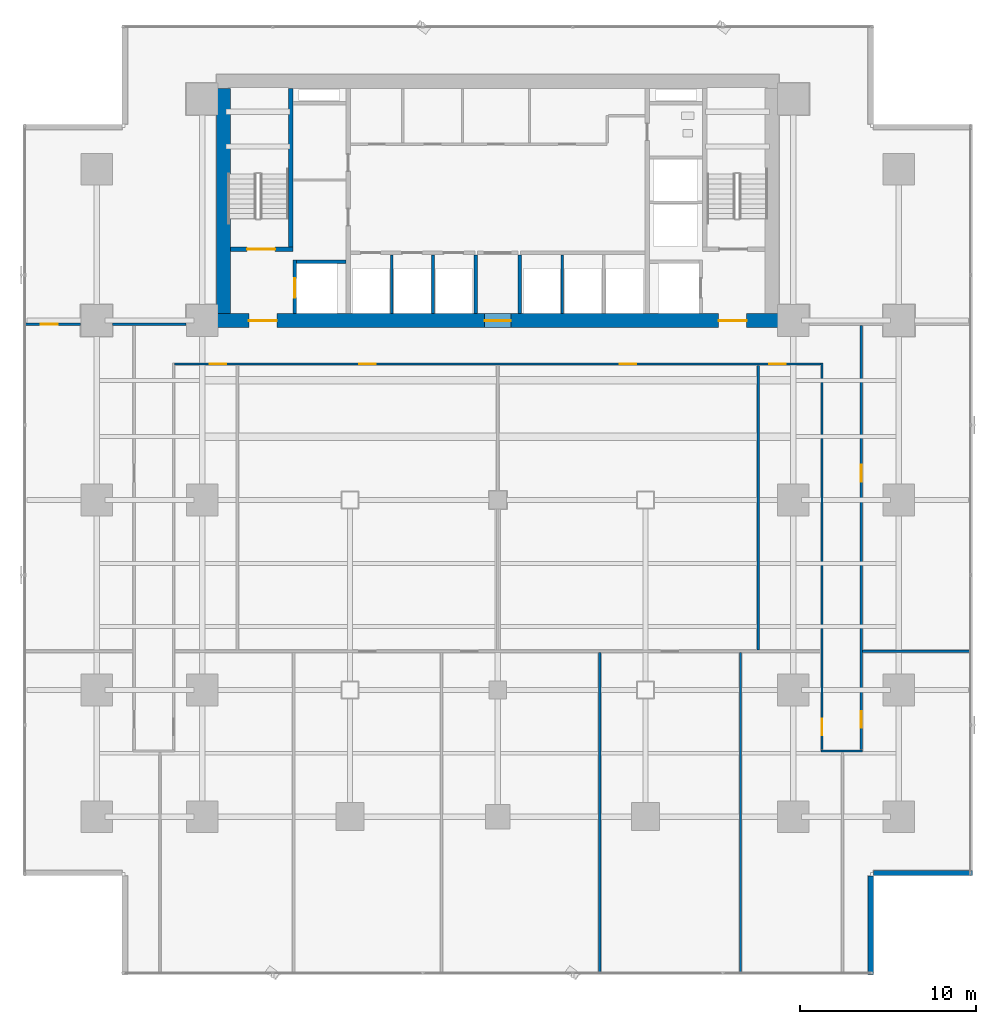
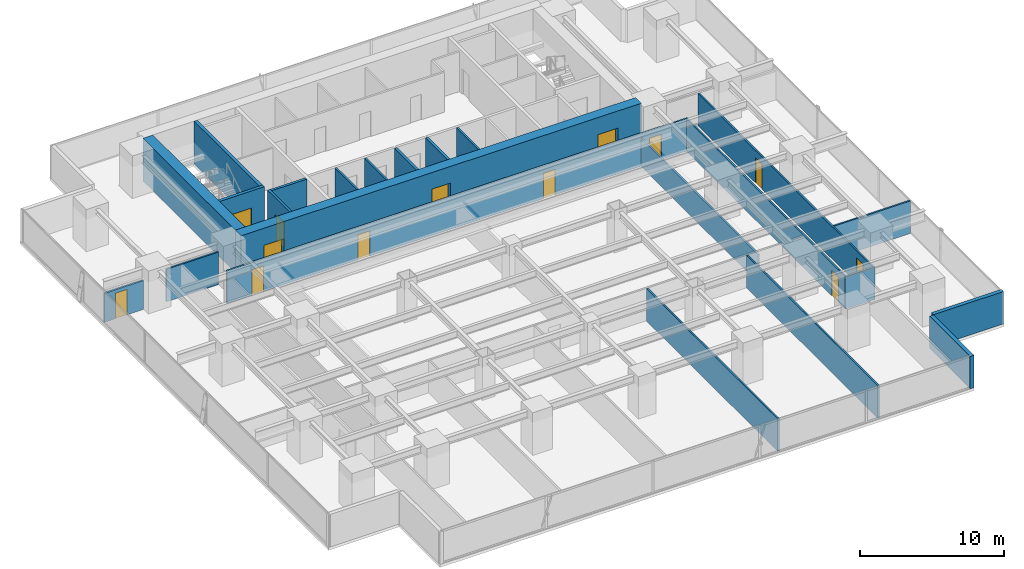
# One storey, part 25 of 33: 23 walls, 13 doors, 13 openings.
"""IFC4 building model written with IfcOpenShell, lengths in metres."""

from ifc_helpers import new_model, si_unit, direction, frame, frame_2d, origin, place, context, subcontext, project, spatial, rectangle, extrude, source, transform, mapped, material, layer, layer_set, type_object, element, fill, save


model = new_model("IFC4")

# Units and contexts
model_context = context("Model", 3, precision=1e-05, world=origin(), true_north=direction((0.0, 1.0)))
body_context = subcontext(model_context, "Body", "Model", "MODEL_VIEW")
ifc_project = project(units=[si_unit("LENGTHUNIT", "METRE"), si_unit("AREAUNIT", "SQUARE_METRE"), si_unit("VOLUMEUNIT", "CUBIC_METRE"), si_unit("PLANEANGLEUNIT", "RADIAN"), si_unit("MASSUNIT", "GRAM", prefix="KILO")], contexts=[model_context])

# Site, building, storey
site_placement = place(None, origin())
site = spatial("IfcSite", under=ifc_project, at=site_placement, CompositionType="ELEMENT")
building_placement = place(site_placement, origin())
building = spatial("IfcBuilding", under=site, at=building_placement, Name="Sumidabori Civic Tower", CompositionType="ELEMENT")
storey_placement = place(building_placement, frame((0.0, 0.0, 38.0)))
storey = spatial("IfcBuildingStorey", under=building, at=storey_placement, Name="L09", CompositionType="ELEMENT", Elevation=38.0)

# Wall, openings, doors
ifc_material_1 = material(Name="Concrete C60/75", Category="concrete")
ifc_layer_1 = layer(ifc_material_1, 0.800048828125, Name="Concrete C60/75")
ifc_layer_set_1 = layer_set([ifc_layer_1], Name="Concrete C60/75")
wall_type_1 = type_object("IfcWallType", Name="WL-CORE-800", PredefinedType="SHEAR", material=ifc_layer_set_1)
shared_shape_1 = source(origin(), body_context, "Body", "SweptSolid", [
    extrude(rectangle(XDim=32.0, YDim=0.800048828125, at=frame_2d((16.0, 0.0))), origin(), (0.0, 0.0, 1.0), 3.60009765625),
])
wall_1_placement = place(storey_placement, frame((-16.0, 10.199951171875, 0.0), z_axis=(0.0, 0.0, 1.0), x_axis=(1.0, 0.0, 0.0)))
wall_1 = element("IfcWall", 1, at=wall_1_placement, inside=storey, type_object=wall_type_1, Name="Core Shear Wall L09 S", PredefinedType="SHEAR", context=body_context, shape_type="MappedRepresentation", body=[
    mapped(shared_shape_1, transform((0.0, 0.0, 0.0), x_axis=(1.0, 0.0, 0.0), y_axis=(0.0, 1.0, 0.0), z_axis=(0.0, 0.0, 1.0), scale=1.0)),
])
opening_1_placement = place(wall_1_placement, frame((1.85009765625, 0.0, 0.0)))
opening_1 = element("IfcOpeningElement", 2, at=opening_1_placement, cuts=wall_1, Name="Opening DR-FD4", PredefinedType="OPENING", context=body_context, shape_type="SweptSolid", body=[
    extrude(rectangle(XDim=1.60009765625, YDim=2.14990234375, at=frame_2d((0.800048828125, 1.074951171875))), frame((0.0, 0.412109375, 0.0), z_axis=(0.0, -1.0, 0.0), x_axis=(1.0, 0.0, 0.0)), (0.0, 0.0, 1.0), 0.823974609375),
])
opening_2_placement = place(wall_1_placement, frame((28.550048828125, 0.0, 0.0)))
opening_2 = element("IfcOpeningElement", 3, at=opening_2_placement, cuts=wall_1, Name="Opening DR-FD4", PredefinedType="OPENING", context=body_context, shape_type="SweptSolid", body=[
    extrude(rectangle(XDim=1.60009765625, YDim=2.14990234375, at=frame_2d((0.800048828125, 1.074951171875))), frame((0.0, 0.412109375, 0.0), z_axis=(0.0, -1.0, 0.0), x_axis=(1.0, 0.0, 0.0)), (0.0, 0.0, 1.0), 0.823974609375),
])
opening_3_placement = place(wall_1_placement, frame((15.25, 0.0, 0.0)))
opening_3 = element("IfcOpeningElement", 4, at=opening_3_placement, cuts=wall_1, Name="Opening DR-FD3", PredefinedType="OPENING", context=body_context, shape_type="SweptSolid", body=[
    extrude(rectangle(XDim=1.5, YDim=2.199951171875, at=frame_2d((0.75, 1.10009765625))), frame((0.0, 0.412109375, 0.0), z_axis=(0.0, -1.0, 0.0), x_axis=(1.0, 0.0, 0.0)), (0.0, 0.0, 1.0), 0.823974609375),
])
ifc_material_2 = material(Name="Steel SN490", Category="steel")
door_type_1 = type_object("IfcDoorType", Name="DR-FD4", OperationType="DOUBLE_DOOR_SINGLE_SWING", PredefinedType="DOOR", material=ifc_material_2)
shared_shape_2 = source(origin(), body_context, "Body", "SweptSolid", [
    extrude(rectangle(XDim=1.60009765625, YDim=2.14990234375, at=frame_2d((0.800048828125, 1.074951171875))), frame((0.0, 0.02490234375, 0.0), z_axis=(0.0, -1.0, 0.0), x_axis=(1.0, 0.0, 0.0)), (0.0, 0.0, 1.0), 0.050048828125),
])
door_1_placement = place(opening_1_placement, origin())
door_1 = element("IfcDoor", 5, at=door_1_placement, inside=storey, type_object=door_type_1, Name="Door DR:L09:ELOB-W", OperationType="DOUBLE_DOOR_SINGLE_SWING", OverallHeight=2.14990234375, OverallWidth=1.60009765625, PredefinedType="DOOR", context=body_context, shape_type="MappedRepresentation", body=[
    mapped(shared_shape_2, transform((0.0, 0.0, 0.0), x_axis=(1.0, 0.0, 0.0), y_axis=(0.0, 1.0, 0.0), z_axis=(0.0, 0.0, 1.0), scale=1.0)),
])
fill(opening_1, door_1)
door_2_placement = place(opening_2_placement, origin())
door_2 = element("IfcDoor", 6, at=door_2_placement, inside=storey, type_object=door_type_1, Name="Door DR:L09:ELOB-E", OperationType="DOUBLE_DOOR_SINGLE_SWING", OverallHeight=2.14990234375, OverallWidth=1.60009765625, PredefinedType="DOOR", context=body_context, shape_type="MappedRepresentation", body=[
    mapped(shared_shape_2, transform((0.0, 0.0, 0.0), x_axis=(1.0, 0.0, 0.0), y_axis=(0.0, 1.0, 0.0), z_axis=(0.0, 0.0, 1.0), scale=1.0)),
])
fill(opening_2, door_2)
door_type_2 = type_object("IfcDoorType", Name="DR-FD-DBL", OperationType="DOUBLE_DOOR_SINGLE_SWING", PredefinedType="DOOR", material=ifc_material_2)
shared_shape_3 = source(origin(), body_context, "Body", "SweptSolid", [
    extrude(rectangle(XDim=1.5, YDim=2.199951171875, at=frame_2d((0.75, 1.10009765625))), frame((0.0, 0.02490234375, 0.0), z_axis=(0.0, -1.0, 0.0), x_axis=(1.0, 0.0, 0.0)), (0.0, 0.0, 1.0), 0.050048828125),
])
door_3_placement = place(opening_3_placement, origin())
door_3 = element("IfcDoor", 7, at=door_3_placement, inside=storey, type_object=door_type_2, Name="Door DR:L09:THROAT-OUT", OperationType="DOUBLE_DOOR_SINGLE_SWING", OverallHeight=2.199951171875, OverallWidth=1.5, PredefinedType="DOOR", context=body_context, shape_type="MappedRepresentation", body=[
    mapped(shared_shape_3, transform((0.0, 0.0, 0.0), x_axis=(1.0, 0.0, 0.0), y_axis=(0.0, 1.0, 0.0), z_axis=(0.0, 0.0, 1.0), scale=1.0)),
])
fill(opening_3, door_3)

# Wall
shared_shape_4 = source(origin(), body_context, "Body", "SweptSolid", [
    extrude(rectangle(XDim=12.7998046875, YDim=0.800048828125, at=frame_2d((6.39990234375, 0.0))), origin(), (0.0, 0.0, 1.0), 3.60009765625),
])
wall_2_placement = place(storey_placement, frame((-15.60009765625, 10.60009765625, 0.0), z_axis=(0.0, 0.0, 1.0), x_axis=(0.0, 1.0, 0.0)))
element("IfcWall", 8, at=wall_2_placement, inside=storey, type_object=wall_type_1, Name="Core Shear Wall L09 W", PredefinedType="SHEAR", context=body_context, shape_type="MappedRepresentation", body=[
    mapped(shared_shape_4, transform((0.0, 0.0, 0.0), x_axis=(1.0, 0.0, 0.0), y_axis=(0.0, 1.0, 0.0), z_axis=(0.0, 0.0, 1.0), scale=1.0)),
])

# Wall, opening, door
ifc_material_3 = material(Name="Concrete C50/60", Category="concrete")
ifc_layer_2 = layer(ifc_material_3, 0.25, Name="Concrete C50/60")
ifc_layer_set_2 = layer_set([ifc_layer_2], Name="Concrete C50/60")
wall_type_2 = type_object("IfcWallType", Name="WL-SHAFT-250", PredefinedType="SHEAR", material=ifc_layer_set_2)
shared_shape_5 = source(origin(), body_context, "Body", "SweptSolid", [
    extrude(rectangle(XDim=3.554931640625, YDim=0.25, at=frame_2d((1.77734375, 0.0))), origin(), (0.0, 0.0, 1.0), 3.60009765625),
])
wall_3_placement = place(storey_placement, frame((-15.199951171875, 14.25, 0.0), z_axis=(0.0, 0.0, 1.0), x_axis=(1.0, 0.0, 0.0)))
wall_3 = element("IfcWall", 9, at=wall_3_placement, inside=storey, type_object=wall_type_2, Name="Core Shear Wall L09 ST1-S", PredefinedType="SHEAR", context=body_context, shape_type="MappedRepresentation", body=[
    mapped(shared_shape_5, transform((0.0, 0.0, 0.0), x_axis=(1.0, 0.0, 0.0), y_axis=(0.0, 1.0, 0.0), z_axis=(0.0, 0.0, 1.0), scale=1.0)),
])
opening_4_placement = place(wall_3_placement, frame((0.949951171875, 0.0, 0.0)))
opening_4 = element("IfcOpeningElement", 10, at=opening_4_placement, cuts=wall_3, Name="Opening DR-FD4", PredefinedType="OPENING", context=body_context, shape_type="SweptSolid", body=[
    extrude(rectangle(XDim=1.60009765625, YDim=2.14990234375, at=frame_2d((0.800048828125, 1.074951171875))), frame((0.0, 0.136962890625, 0.0), z_axis=(0.0, -1.0, 0.0), x_axis=(1.0, 0.0, 0.0)), (0.0, 0.0, 1.0), 0.27392578125),
])
door_4_placement = place(opening_4_placement, origin())
door_4 = element("IfcDoor", 11, at=door_4_placement, inside=storey, type_object=door_type_1, Name="Door DR:L09:ST1", OperationType="DOUBLE_DOOR_SINGLE_SWING", OverallHeight=2.14990234375, OverallWidth=1.60009765625, PredefinedType="DOOR", context=body_context, shape_type="MappedRepresentation", body=[
    mapped(shared_shape_2, transform((0.0, 0.0, 0.0), x_axis=(1.0, 0.0, 0.0), y_axis=(0.0, 1.0, 0.0), z_axis=(0.0, 0.0, 1.0), scale=1.0)),
])
fill(opening_4, door_4)

# Wall
shared_shape_6 = source(origin(), body_context, "Body", "SweptSolid", [
    extrude(rectangle(XDim=9.02490234375, YDim=0.25, at=frame_2d((4.512451171875, 0.0))), origin(), (0.0, 0.0, 1.0), 3.60009765625),
])
wall_4_placement = place(storey_placement, frame((-11.77001953125, 14.375, 0.0), z_axis=(0.0, 0.0, 1.0), x_axis=(0.0, 1.0, 0.0)))
element("IfcWall", 12, at=wall_4_placement, inside=storey, type_object=wall_type_2, Name="Core Shear Wall L09 ST1-E", PredefinedType="SHEAR", context=body_context, shape_type="MappedRepresentation", body=[
    mapped(shared_shape_6, transform((0.0, 0.0, 0.0), x_axis=(1.0, 0.0, 0.0), y_axis=(0.0, 1.0, 0.0), z_axis=(0.0, 0.0, 1.0), scale=1.0)),
])

# Wall, opening, door
ifc_layer_3 = layer(ifc_material_3, 0.199951171875, Name="Concrete C50/60")
ifc_layer_set_3 = layer_set([ifc_layer_3], Name="Concrete C50/60")
wall_type_3 = type_object("IfcWallType", Name="WL-SHAFT-200", PredefinedType="SHEAR", material=ifc_layer_set_3)
shared_shape_7 = source(origin(), body_context, "Body", "SweptSolid", [
    extrude(rectangle(XDim=3.0498046875, YDim=0.199951171875, at=frame_2d((1.52490234375, 0.0))), origin(), (0.0, 0.0, 1.0), 3.60009765625),
])
wall_5_placement = place(storey_placement, frame((-11.550048828125, 10.60009765625, 0.0), z_axis=(0.0, 0.0, 1.0), x_axis=(0.0, 1.0, 0.0)))
wall_5 = element("IfcWall", 13, at=wall_5_placement, inside=storey, type_object=wall_type_3, Name="Core Shear Wall L09 EL1-W", PredefinedType="SHEAR", context=body_context, shape_type="MappedRepresentation", body=[
    mapped(shared_shape_7, transform((0.0, 0.0, 0.0), x_axis=(1.0, 0.0, 0.0), y_axis=(0.0, 1.0, 0.0), z_axis=(0.0, 0.0, 1.0), scale=1.0)),
])
opening_5_placement = place(wall_5_placement, frame((0.89990234375, 0.0, 0.0)))
opening_5 = element("IfcOpeningElement", 14, at=opening_5_placement, cuts=wall_5, Name="Opening LD-2", PredefinedType="OPENING", context=body_context, shape_type="SweptSolid", body=[
    extrude(rectangle(XDim=1.10009765625, YDim=2.14990234375, at=frame_2d((0.550048828125, 1.074951171875))), frame((0.0, 0.11181640625, 0.0), z_axis=(0.0, -1.0, 0.0), x_axis=(1.0, 0.0, 0.0)), (0.0, 0.0, 1.0), 0.223876953125),
])
ifc_material_4 = material(Name="Stainless Steel Hairline Finish", Category="steel")
door_type_3 = type_object("IfcDoorType", Name="DR-LD2", OperationType="DOUBLE_DOOR_SLIDING", PredefinedType="DOOR", material=ifc_material_4)
shared_shape_8 = source(origin(), body_context, "Body", "SweptSolid", [
    extrude(rectangle(XDim=1.10009765625, YDim=2.14990234375, at=frame_2d((0.550048828125, 1.074951171875))), frame((0.0, 0.02490234375, 0.0), z_axis=(0.0, -1.0, 0.0), x_axis=(1.0, 0.0, 0.0)), (0.0, 0.0, 1.0), 0.050048828125),
])
door_5_placement = place(opening_5_placement, origin())
door_5 = element("IfcDoor", 15, at=door_5_placement, inside=storey, type_object=door_type_3, Name="Door DR:L09:LD-EL1", OperationType="DOUBLE_DOOR_SLIDING", OverallHeight=2.14990234375, OverallWidth=1.10009765625, PredefinedType="DOOR", context=body_context, shape_type="MappedRepresentation", body=[
    mapped(shared_shape_8, transform((0.0, 0.0, 0.0), x_axis=(1.0, 0.0, 0.0), y_axis=(0.0, 1.0, 0.0), z_axis=(0.0, 0.0, 1.0), scale=1.0)),
])
fill(opening_5, door_5)

# Walls
shared_shape_9 = source(origin(), body_context, "Body", "SweptSolid", [
    extrude(rectangle(XDim=2.824951171875, YDim=0.199951171875, at=frame_2d((1.41259765625, 0.0))), origin(), (0.0, 0.0, 1.0), 3.60009765625),
])
wall_6_placement = place(storey_placement, frame((-11.449951171875, 13.550048828125, 0.0), z_axis=(0.0, 0.0, 1.0), x_axis=(1.0, 0.0, 0.0)))
element("IfcWall", 16, at=wall_6_placement, inside=storey, type_object=wall_type_3, Name="Core Shear Wall L09 EL1-N", PredefinedType="SHEAR", context=body_context, shape_type="MappedRepresentation", body=[
    mapped(shared_shape_9, transform((0.0, 0.0, 0.0), x_axis=(1.0, 0.0, 0.0), y_axis=(0.0, 1.0, 0.0), z_axis=(0.0, 0.0, 1.0), scale=1.0)),
])
ifc_material_5 = material(Name="Precast concrete C40/50", Category="concrete")
ifc_layer_4 = layer(ifc_material_5, 0.300048828125, Name="Precast concrete C40/50")
ifc_layer_set_4 = layer_set([ifc_layer_4], Name="Precast concrete C40/50")
wall_type_4 = type_object("IfcWallType", Name="WL-EXT-POD300", PredefinedType="STANDARD", material=ifc_layer_set_4)
shared_shape_10 = source(origin(), body_context, "Body", "SweptSolid", [
    extrude(rectangle(XDim=5.60986328125, YDim=0.300048828125, at=frame_2d((2.804931640625, 0.0))), origin(), (0.0, 0.0, 1.0), 2.739990234375),
])
for number, where, z_axis, x_axis, name in (
    (17, (21.199951171875, -26.97998046875, 0.0), (0.0, 0.0, 1.0), (0.0, 1.0, 0.0), "Notched Corner Spandrel Band L09-02"),
    (18, (21.3701171875, -21.199951171875, 0.0), (0.0, 0.0, 1.0), (1.0, 0.0, 0.0), "Notched Corner Spandrel Band L09-03"),
):
    element("IfcWall", number, at=place(storey_placement, frame(where, z_axis=z_axis, x_axis=x_axis)), inside=storey, type_object=wall_type_4, Name=name, PredefinedType="STANDARD", context=body_context, shape_type="MappedRepresentation", body=[
        mapped(shared_shape_10, transform((0.0, 0.0, 0.0), x_axis=(1.0, 0.0, 0.0), y_axis=(0.0, 1.0, 0.0), z_axis=(0.0, 0.0, 1.0), scale=1.0)),
    ])
ifc_material_6 = material(Name="Gypsum Plasterboard Fire Partition")
ifc_layer_5 = layer(ifc_material_6, 0.199951171875, Name="Gypsum Plasterboard Fire Partition")
ifc_layer_set_5 = layer_set([ifc_layer_5], Name="Gypsum Plasterboard Fire Partition")
wall_type_5 = type_object("IfcWallType", Name="WL-PART-FIRE", PredefinedType="PARTITIONING", material=ifc_layer_set_5)
shared_shape_11 = source(origin(), body_context, "Body", "SweptSolid", [
    extrude(rectangle(XDim=3.33984375, YDim=0.199951171875, at=frame_2d((1.669921875, 0.0))), origin(), (0.0, 0.0, 1.0), 3.360107421875),
])
for number, where, z_axis, x_axis, name in (
    (19, (-1.25, 10.60009765625, 0.0), (0.0, 0.0, 1.0), (0.0, 1.0, 0.0), "Interior Partition WL:L09:THROAT-W"),
    (20, (1.25, 10.60009765625, 0.0), (0.0, 0.0, 1.0), (0.0, 1.0, 0.0), "Interior Partition WL:L09:THROAT-E"),
):
    element("IfcWall", number, at=place(storey_placement, frame(where, z_axis=z_axis, x_axis=x_axis)), inside=storey, type_object=wall_type_5, Name=name, PredefinedType="PARTITIONING", context=body_context, shape_type="MappedRepresentation", body=[
        mapped(shared_shape_11, transform((0.0, 0.0, 0.0), x_axis=(1.0, 0.0, 0.0), y_axis=(0.0, 1.0, 0.0), z_axis=(0.0, 0.0, 1.0), scale=1.0)),
    ])
ifc_material_7 = material(Name="Gypsum Plasterboard Acoustic Partition")
ifc_layer_6 = layer(ifc_material_7, 0.14990234375, Name="Gypsum Plasterboard Acoustic Partition")
ifc_layer_set_6 = layer_set([ifc_layer_6], Name="Gypsum Plasterboard Acoustic Partition")
wall_type_6 = type_object("IfcWallType", Name="WL-PART-150", PredefinedType="PARTITIONING", material=ifc_layer_set_6)
shared_shape_12 = source(origin(), body_context, "Body", "SweptSolid", [
    extrude(rectangle(XDim=3.33984375, YDim=0.14990234375, at=frame_2d((1.669921875, 0.0))), origin(), (0.0, 0.0, 1.0), 3.360107421875),
])
for number, where, z_axis, x_axis, name in (
    (21, (-6.030029296875, 10.60009765625, 0.0), (0.0, 0.0, 1.0), (0.0, 1.0, 0.0), "Interior Partition WL:L09:DIV-PLL1"),
    (22, (-3.679931640625, 10.60009765625, 0.0), (0.0, 0.0, 1.0), (0.0, 1.0, 0.0), "Interior Partition WL:L09:DIV-PLL2"),
    (23, (3.669921875, 10.60009765625, 0.0), (0.0, 0.0, 1.0), (0.0, 1.0, 0.0), "Interior Partition WL:L09:DIV-PLM1"),
):
    element("IfcWall", number, at=place(storey_placement, frame(where, z_axis=z_axis, x_axis=x_axis)), inside=storey, type_object=wall_type_6, Name=name, PredefinedType="PARTITIONING", context=body_context, shape_type="MappedRepresentation", body=[
        mapped(shared_shape_12, transform((0.0, 0.0, 0.0), x_axis=(1.0, 0.0, 0.0), y_axis=(0.0, 1.0, 0.0), z_axis=(0.0, 0.0, 1.0), scale=1.0)),
    ])

# Wall, opening, door
ifc_layer_7 = layer(ifc_material_7, 0.135009765625, Name="Gypsum Plasterboard Acoustic Partition")
ifc_layer_set_7 = layer_set([ifc_layer_7], Name="Gypsum Plasterboard Acoustic Partition")
wall_type_7 = type_object("IfcWallType", Name="WL-PART-135", PredefinedType="PARTITIONING", material=ifc_layer_set_7)
shared_shape_13 = source(origin(), body_context, "Body", "SweptSolid", [
    extrude(rectangle(XDim=3.14013671875, YDim=0.135009765625, at=frame_2d((1.570068359375, 0.0))), origin(), (0.0, 0.0, 1.0), 2.43505859375),
])
wall_7_placement = place(storey_placement, frame((-26.85009765625, 10.0, 0.0), z_axis=(0.0, 0.0, 1.0), x_axis=(1.0, 0.0, 0.0)))
wall_7 = element("IfcWall", 24, at=wall_7_placement, inside=storey, type_object=wall_type_7, Name="Interior Partition WL:L09:FLK-NW-1", PredefinedType="PARTITIONING", context=body_context, shape_type="MappedRepresentation", body=[
    mapped(shared_shape_13, transform((0.0, 0.0, 0.0), x_axis=(1.0, 0.0, 0.0), y_axis=(0.0, 1.0, 0.0), z_axis=(0.0, 0.0, 1.0), scale=1.0)),
])
opening_6_placement = place(wall_7_placement, frame((0.875, 0.0, 0.0)))
opening_6 = element("IfcOpeningElement", 25, at=opening_6_placement, cuts=wall_7, Name="Opening DR-2", PredefinedType="OPENING", context=body_context, shape_type="SweptSolid", body=[
    extrude(rectangle(XDim=0.949951171875, YDim=2.14990234375, at=frame_2d((0.47509765625, 1.074951171875))), frame((0.0, 0.07958984375, 0.0), z_axis=(0.0, -1.0, 0.0), x_axis=(1.0, 0.0, 0.0)), (0.0, 0.0, 1.0), 0.158935546875),
])
ifc_material_8 = material(Name="Japanese Hinoki Timber", Category="wood")
door_type_4 = type_object("IfcDoorType", Name="DR-INT-950", OperationType="NOTDEFINED", PredefinedType="DOOR", material=ifc_material_8)
shared_shape_14 = source(origin(), body_context, "Body", "SweptSolid", [
    extrude(rectangle(XDim=0.949951171875, YDim=2.14990234375, at=frame_2d((0.47509765625, 1.074951171875))), frame((0.0, 0.02490234375, 0.0), z_axis=(0.0, -1.0, 0.0), x_axis=(1.0, 0.0, 0.0)), (0.0, 0.0, 1.0), 0.050048828125),
])
door_6_placement = place(opening_6_placement, origin())
door_6 = element("IfcDoor", 26, at=door_6_placement, inside=storey, type_object=door_type_4, Name="Door DR:L09:D11", OperationType="SINGLE_SWING_LEFT", OverallHeight=2.14990234375, OverallWidth=0.949951171875, PredefinedType="DOOR", context=body_context, shape_type="MappedRepresentation", body=[
    mapped(shared_shape_14, transform((0.0, 0.0, 0.0), x_axis=(1.0, 0.0, 0.0), y_axis=(0.0, 1.0, 0.0), z_axis=(0.0, 0.0, 1.0), scale=1.0)),
])
fill(opening_6, door_6)

# Wall
shared_shape_15 = source(origin(), body_context, "Body", "SweptSolid", [
    extrude(rectangle(XDim=4.179931640625, YDim=0.135009765625, at=frame_2d((2.08984375, 0.0))), origin(), (0.0, 0.0, 1.0), 2.7451171875),
])
wall_8_placement = place(storey_placement, frame((-21.889892578125, 10.0, 0.0), z_axis=(0.0, 0.0, 1.0), x_axis=(1.0, 0.0, 0.0)))
element("IfcWall", 27, at=wall_8_placement, inside=storey, type_object=wall_type_7, Name="Interior Partition WL:L09:FLK-NW-2", PredefinedType="PARTITIONING", context=body_context, shape_type="MappedRepresentation", body=[
    mapped(shared_shape_15, transform((0.0, 0.0, 0.0), x_axis=(1.0, 0.0, 0.0), y_axis=(0.0, 1.0, 0.0), z_axis=(0.0, 0.0, 1.0), scale=1.0)),
])

# Wall, openings, doors
shared_shape_16 = source(origin(), body_context, "Body", "SweptSolid", [
    extrude(rectangle(XDim=36.72998046875, YDim=0.135009765625, at=frame_2d((18.364990234375, 0.0))), origin(), (0.0, 0.0, 1.0), 2.7451171875),
])
wall_9_placement = place(storey_placement, frame((-18.364990234375, 7.732421875, 0.0), z_axis=(0.0, 0.0, 1.0), x_axis=(1.0, 0.0, 0.0)))
wall_9 = element("IfcWall", 28, at=wall_9_placement, inside=storey, type_object=wall_type_7, Name="Interior Partition WL:L09:CORR-S", PredefinedType="PARTITIONING", context=body_context, shape_type="MappedRepresentation", body=[
    mapped(shared_shape_16, transform((0.0, 0.0, 0.0), x_axis=(1.0, 0.0, 0.0), y_axis=(0.0, 1.0, 0.0), z_axis=(0.0, 0.0, 1.0), scale=1.0)),
])
opening_7_placement = place(wall_9_placement, frame((10.489990234375, 0.0, 0.0)))
opening_7 = element("IfcOpeningElement", 29, at=opening_7_placement, cuts=wall_9, Name="Opening DR-2", PredefinedType="OPENING", context=body_context, shape_type="SweptSolid", body=[
    extrude(rectangle(XDim=0.949951171875, YDim=2.14990234375, at=frame_2d((0.47509765625, 1.074951171875))), frame((0.0, 0.07958984375, 0.0), z_axis=(0.0, -1.0, 0.0), x_axis=(1.0, 0.0, 0.0)), (0.0, 0.0, 1.0), 0.158935546875),
])
opening_8_placement = place(wall_9_placement, frame((25.2900390625, 0.0, 0.0)))
opening_8 = element("IfcOpeningElement", 30, at=opening_8_placement, cuts=wall_9, Name="Opening DR-2", PredefinedType="OPENING", context=body_context, shape_type="SweptSolid", body=[
    extrude(rectangle(XDim=0.949951171875, YDim=2.14990234375, at=frame_2d((0.47509765625, 1.074951171875))), frame((0.0, 0.07958984375, 0.0), z_axis=(0.0, -1.0, 0.0), x_axis=(1.0, 0.0, 0.0)), (0.0, 0.0, 1.0), 0.158935546875),
])
opening_9_placement = place(wall_9_placement, frame((1.99365234375, 0.0, 0.0)))
opening_9 = element("IfcOpeningElement", 31, at=opening_9_placement, cuts=wall_9, Name="Opening DR-2", PredefinedType="OPENING", context=body_context, shape_type="SweptSolid", body=[
    extrude(rectangle(XDim=0.949951171875, YDim=2.14990234375, at=frame_2d((0.47509765625, 1.074951171875))), frame((0.0, 0.07958984375, 0.0), z_axis=(0.0, -1.0, 0.0), x_axis=(1.0, 0.0, 0.0)), (0.0, 0.0, 1.0), 0.158935546875),
])
opening_10_placement = place(wall_9_placement, frame((33.7861328125, 0.0, 0.0)))
opening_10 = element("IfcOpeningElement", 32, at=opening_10_placement, cuts=wall_9, Name="Opening DR-2", PredefinedType="OPENING", context=body_context, shape_type="SweptSolid", body=[
    extrude(rectangle(XDim=0.949951171875, YDim=2.14990234375, at=frame_2d((0.47509765625, 1.074951171875))), frame((0.0, 0.07958984375, 0.0), z_axis=(0.0, -1.0, 0.0), x_axis=(1.0, 0.0, 0.0)), (0.0, 0.0, 1.0), 0.158935546875),
])
door_7_placement = place(opening_7_placement, origin())
door_7 = element("IfcDoor", 33, at=door_7_placement, inside=storey, type_object=door_type_4, Name="Door DR:L09:D03", OperationType="SINGLE_SWING_LEFT", OverallHeight=2.14990234375, OverallWidth=0.949951171875, PredefinedType="DOOR", context=body_context, shape_type="MappedRepresentation", body=[
    mapped(shared_shape_14, transform((0.0, 0.0, 0.0), x_axis=(1.0, 0.0, 0.0), y_axis=(0.0, 1.0, 0.0), z_axis=(0.0, 0.0, 1.0), scale=1.0)),
])
fill(opening_7, door_7)
door_8_placement = place(opening_8_placement, origin())
door_8 = element("IfcDoor", 34, at=door_8_placement, inside=storey, type_object=door_type_4, Name="Door DR:L09:D04", OperationType="SINGLE_SWING_RIGHT", OverallHeight=2.14990234375, OverallWidth=0.949951171875, PredefinedType="DOOR", context=body_context, shape_type="MappedRepresentation", body=[
    mapped(shared_shape_14, transform((0.0, 0.0, 0.0), x_axis=(1.0, 0.0, 0.0), y_axis=(0.0, 1.0, 0.0), z_axis=(0.0, 0.0, 1.0), scale=1.0)),
])
fill(opening_8, door_8)
door_9_placement = place(opening_9_placement, origin())
door_9 = element("IfcDoor", 35, at=door_9_placement, inside=storey, type_object=door_type_4, Name="Door DR:L09:D05", OperationType="SINGLE_SWING_LEFT", OverallHeight=2.14990234375, OverallWidth=0.949951171875, PredefinedType="DOOR", context=body_context, shape_type="MappedRepresentation", body=[
    mapped(shared_shape_14, transform((0.0, 0.0, 0.0), x_axis=(1.0, 0.0, 0.0), y_axis=(0.0, 1.0, 0.0), z_axis=(0.0, 0.0, 1.0), scale=1.0)),
])
fill(opening_9, door_9)
door_10_placement = place(opening_10_placement, origin())
door_10 = element("IfcDoor", 36, at=door_10_placement, inside=storey, type_object=door_type_4, Name="Door DR:L09:D06", OperationType="SINGLE_SWING_RIGHT", OverallHeight=2.14990234375, OverallWidth=0.949951171875, PredefinedType="DOOR", context=body_context, shape_type="MappedRepresentation", body=[
    mapped(shared_shape_14, transform((0.0, 0.0, 0.0), x_axis=(1.0, 0.0, 0.0), y_axis=(0.0, 1.0, 0.0), z_axis=(0.0, 0.0, 1.0), scale=1.0)),
])
fill(opening_10, door_10)

shared_shape_17 = source(origin(), body_context, "Body", "SweptSolid", [
    extrude(rectangle(XDim=24.12255859375, YDim=0.135009765625, at=frame_2d((12.061279296875, 0.0))), origin(), (0.0, 0.0, 1.0), 2.7451171875),
])
wall_10_placement = place(storey_placement, frame((20.66748046875, -14.195068359375, 0.0), z_axis=(0.0, 0.0, 1.0), x_axis=(0.0, 1.0, 0.0)))
wall_10 = element("IfcWall", 37, at=wall_10_placement, inside=storey, type_object=wall_type_7, Name="Interior Partition WL:L09:CORR-VE-OUT", PredefinedType="PARTITIONING", context=body_context, shape_type="MappedRepresentation", body=[
    mapped(shared_shape_17, transform((0.0, 0.0, 0.0), x_axis=(1.0, 0.0, 0.0), y_axis=(0.0, 1.0, 0.0), z_axis=(0.0, 0.0, 1.0), scale=1.0)),
])
opening_11_placement = place(wall_10_placement, frame((15.237548828125, 0.0, 0.0)))
opening_11 = element("IfcOpeningElement", 38, at=opening_11_placement, cuts=wall_10, Name="Opening DR-2", PredefinedType="OPENING", context=body_context, shape_type="SweptSolid", body=[
    extrude(rectangle(XDim=0.949951171875, YDim=2.14990234375, at=frame_2d((0.47509765625, 1.074951171875))), frame((0.0, 0.07958984375, 0.0), z_axis=(0.0, -1.0, 0.0), x_axis=(1.0, 0.0, 0.0)), (0.0, 0.0, 1.0), 0.158935546875),
])
opening_12_placement = place(wall_10_placement, frame((1.248779296875, 0.0, 0.0)))
opening_12 = element("IfcOpeningElement", 39, at=opening_12_placement, cuts=wall_10, Name="Opening DR-2", PredefinedType="OPENING", context=body_context, shape_type="SweptSolid", body=[
    extrude(rectangle(XDim=0.949951171875, YDim=2.14990234375, at=frame_2d((0.47509765625, 1.074951171875))), frame((0.0, 0.07958984375, 0.0), z_axis=(0.0, -1.0, 0.0), x_axis=(1.0, 0.0, 0.0)), (0.0, 0.0, 1.0), 0.158935546875),
])
door_11_placement = place(opening_11_placement, origin())
door_11 = element("IfcDoor", 40, at=door_11_placement, inside=storey, type_object=door_type_4, Name="Door DR:L09:D02", OperationType="SINGLE_SWING_RIGHT", OverallHeight=2.14990234375, OverallWidth=0.949951171875, PredefinedType="DOOR", context=body_context, shape_type="MappedRepresentation", body=[
    mapped(shared_shape_14, transform((0.0, 0.0, 0.0), x_axis=(1.0, 0.0, 0.0), y_axis=(0.0, 1.0, 0.0), z_axis=(0.0, 0.0, 1.0), scale=1.0)),
])
fill(opening_11, door_11)
door_12_placement = place(opening_12_placement, origin())
door_12 = element("IfcDoor", 41, at=door_12_placement, inside=storey, type_object=door_type_4, Name="Door DR:L09:D07", OperationType="SINGLE_SWING_LEFT", OverallHeight=2.14990234375, OverallWidth=0.949951171875, PredefinedType="DOOR", context=body_context, shape_type="MappedRepresentation", body=[
    mapped(shared_shape_14, transform((0.0, 0.0, 0.0), x_axis=(1.0, 0.0, 0.0), y_axis=(0.0, 1.0, 0.0), z_axis=(0.0, 0.0, 1.0), scale=1.0)),
])
fill(opening_12, door_12)

# Wall, opening, door
shared_shape_18 = source(origin(), body_context, "Body", "SweptSolid", [
    extrude(rectangle(XDim=21.9951171875, YDim=0.135009765625, at=frame_2d((10.99755859375, 0.0))), origin(), (0.0, 0.0, 1.0), 2.7451171875),
])
wall_11_placement = place(storey_placement, frame((18.4326171875, -14.195068359375, 0.0), z_axis=(0.0, 0.0, 1.0), x_axis=(0.0, 1.0, 0.0)))
wall_11 = element("IfcWall", 42, at=wall_11_placement, inside=storey, type_object=wall_type_7, Name="Interior Partition WL:L09:CORR-VE-IN", PredefinedType="PARTITIONING", context=body_context, shape_type="MappedRepresentation", body=[
    mapped(shared_shape_18, transform((0.0, 0.0, 0.0), x_axis=(1.0, 0.0, 0.0), y_axis=(0.0, 1.0, 0.0), z_axis=(0.0, 0.0, 1.0), scale=1.0)),
])
opening_13_placement = place(wall_11_placement, frame((0.80859375, 0.0, 0.0)))
opening_13 = element("IfcOpeningElement", 43, at=opening_13_placement, cuts=wall_11, Name="Opening DR-2", PredefinedType="OPENING", context=body_context, shape_type="SweptSolid", body=[
    extrude(rectangle(XDim=0.949951171875, YDim=2.14990234375, at=frame_2d((0.47509765625, 1.074951171875))), frame((0.0, 0.07958984375, 0.0), z_axis=(0.0, -1.0, 0.0), x_axis=(1.0, 0.0, 0.0)), (0.0, 0.0, 1.0), 0.158935546875),
])
door_13_placement = place(opening_13_placement, origin())
door_13 = element("IfcDoor", 44, at=door_13_placement, inside=storey, type_object=door_type_4, Name="Door DR:L09:D10", OperationType="SINGLE_SWING_RIGHT", OverallHeight=2.14990234375, OverallWidth=0.949951171875, PredefinedType="DOOR", context=body_context, shape_type="MappedRepresentation", body=[
    mapped(shared_shape_14, transform((0.0, 0.0, 0.0), x_axis=(1.0, 0.0, 0.0), y_axis=(0.0, 1.0, 0.0), z_axis=(0.0, 0.0, 1.0), scale=1.0)),
])
fill(opening_13, door_13)

# Walls
shared_shape_19 = source(origin(), body_context, "Body", "SweptSolid", [
    extrude(rectangle(XDim=6.110107421875, YDim=0.135009765625, at=frame_2d((3.05517578125, 0.0))), origin(), (0.0, 0.0, 1.0), 2.7451171875),
])
wall_12_placement = place(storey_placement, frame((20.739990234375, -8.60009765625, 0.0), z_axis=(0.0, 0.0, 1.0), x_axis=(1.0, 0.0, 0.0)))
element("IfcWall", 45, at=wall_12_placement, inside=storey, type_object=wall_type_7, Name="Interior Partition WL:L09:BAND-Y-3", PredefinedType="PARTITIONING", context=body_context, shape_type="MappedRepresentation", body=[
    mapped(shared_shape_19, transform((0.0, 0.0, 0.0), x_axis=(1.0, 0.0, 0.0), y_axis=(0.0, 1.0, 0.0), z_axis=(0.0, 0.0, 1.0), scale=1.0)),
])
shared_shape_20 = source(origin(), body_context, "Body", "SweptSolid", [
    extrude(rectangle(XDim=16.1875, YDim=0.135009765625, at=frame_2d((8.09375, 0.0))), origin(), (0.0, 0.0, 1.0), 2.3701171875),
])
wall_13_placement = place(storey_placement, frame((14.800048828125, -8.527587890625, 0.0), z_axis=(0.0, 0.0, 1.0), x_axis=(0.0, 1.0, 0.0)))
element("IfcWall", 46, at=wall_13_placement, inside=storey, type_object=wall_type_7, Name="Interior Partition WL:L09:VX-N3", PredefinedType="PARTITIONING", context=body_context, shape_type="MappedRepresentation", body=[
    mapped(shared_shape_20, transform((0.0, 0.0, 0.0), x_axis=(1.0, 0.0, 0.0), y_axis=(0.0, 1.0, 0.0), z_axis=(0.0, 0.0, 1.0), scale=1.0)),
])
shared_shape_21 = source(origin(), body_context, "Body", "SweptSolid", [
    extrude(rectangle(XDim=18.177490234375, YDim=0.135009765625, at=frame_2d((9.0888671875, 0.0))), origin(), (0.0, 0.0, 1.0), 2.7451171875),
])
for number, where, z_axis, x_axis, name in (
    (47, (5.800048828125, -26.85009765625, 0.0), (0.0, 0.0, 1.0), (0.0, 1.0, 0.0), "Interior Partition WL:L09:VX-S4"),
    (48, (13.800048828125, -26.85009765625, 0.0), (0.0, 0.0, 1.0), (0.0, 1.0, 0.0), "Interior Partition WL:L09:VX-S5"),
):
    element("IfcWall", number, at=place(storey_placement, frame(where, z_axis=z_axis, x_axis=x_axis)), inside=storey, type_object=wall_type_7, Name=name, PredefinedType="PARTITIONING", context=body_context, shape_type="MappedRepresentation", body=[
        mapped(shared_shape_21, transform((0.0, 0.0, 0.0), x_axis=(1.0, 0.0, 0.0), y_axis=(0.0, 1.0, 0.0), z_axis=(0.0, 0.0, 1.0), scale=1.0)),
    ])
shared_shape_22 = source(origin(), body_context, "Body", "SweptSolid", [
    extrude(rectangle(XDim=2.3701171875, YDim=0.135009765625, at=frame_2d((1.18505859375, 0.0))), origin(), (0.0, 0.0, 1.0), 2.7451171875),
])
wall_14_placement = place(storey_placement, frame((18.364990234375, -14.267578125, 0.0), z_axis=(0.0, 0.0, 1.0), x_axis=(1.0, 0.0, 0.0)))
element("IfcWall", 49, at=wall_14_placement, inside=storey, type_object=wall_type_7, Name="Interior Partition WL:L09:CORR-CAP-E", PredefinedType="PARTITIONING", context=body_context, shape_type="MappedRepresentation", body=[
    mapped(shared_shape_22, transform((0.0, 0.0, 0.0), x_axis=(1.0, 0.0, 0.0), y_axis=(0.0, 1.0, 0.0), z_axis=(0.0, 0.0, 1.0), scale=1.0)),
])

save(model, "model.ifc")
